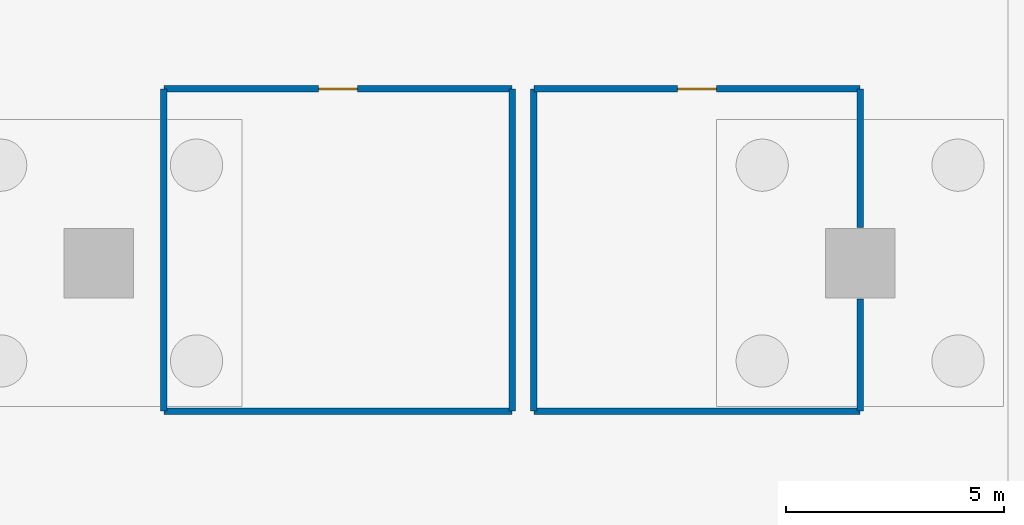
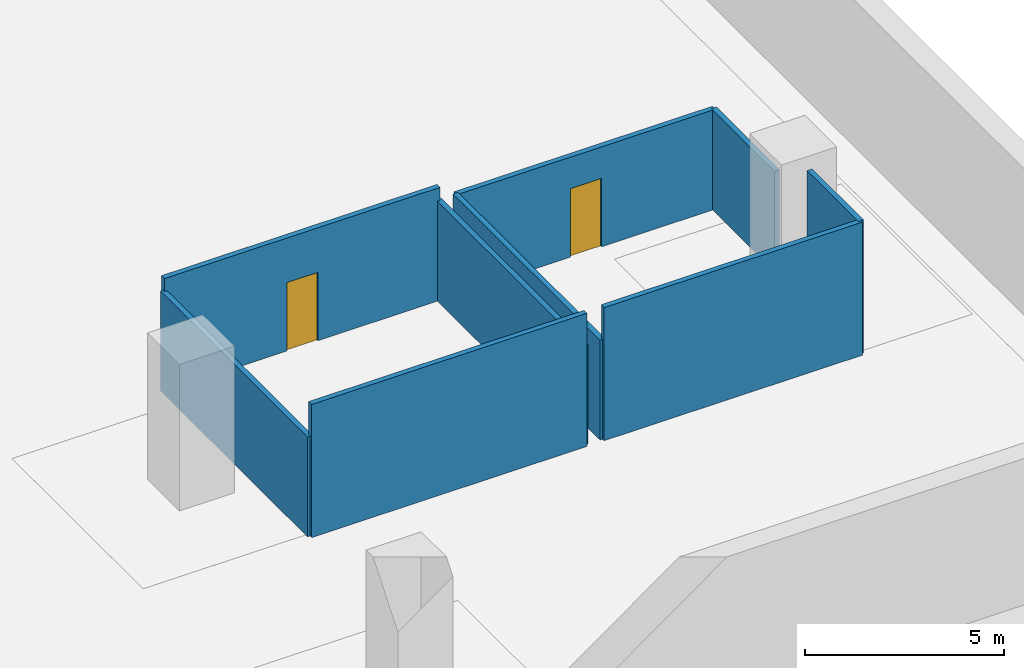
# One storey, part 6 of 13: 9 walls, 2 doors, 2 openings.
"""IFC4 building model written with IfcOpenShell, lengths in metres."""

from ifc_helpers import new_model, si_unit, direction, frame, frame_2d, origin, place, context, subcontext, project, spatial, rectangle, extrude, material, layer, layer_set, type_object, element, fill, save


model = new_model("IFC4")

# Units and contexts
model_context = context("Model", 3, precision=1e-05, world=origin(), true_north=direction((0.0, 1.0)))
body_context = subcontext(model_context, "Body", "Model", "MODEL_VIEW")
ifc_project = project(units=[si_unit("LENGTHUNIT", "METRE"), si_unit("AREAUNIT", "SQUARE_METRE"), si_unit("VOLUMEUNIT", "CUBIC_METRE"), si_unit("PLANEANGLEUNIT", "RADIAN"), si_unit("MASSUNIT", "GRAM", prefix="KILO")], contexts=[model_context])

# Site, building, storey
site_placement = place(None, origin())
site = spatial("IfcSite", under=ifc_project, at=site_placement, CompositionType="ELEMENT")
building_placement = place(site_placement, origin())
building = spatial("IfcBuilding", under=site, at=building_placement, Name="Tel Ilan Convention Tower", CompositionType="ELEMENT")
storey_placement = place(building_placement, frame((0.0, 0.0, -9.0)))
storey = spatial("IfcBuildingStorey", under=building, at=storey_placement, Name="B2", CompositionType="ELEMENT", Elevation=-9.0)

# Wall, opening, door
ifc_material_1 = material(Name="Plasterboard on Steel Studs", Category="steel")
ifc_layer = layer(ifc_material_1, 0.14990234375)
ifc_layer_set = layer_set([ifc_layer], Name="Fire-rated Partition 150 EI 60")
wall_type = type_object("IfcWallType", Name="Fire-rated Partition 150 EI 60", PredefinedType="PARTITIONING", material=ifc_layer_set)
wall_1_placement = place(storey_placement, frame((38.0, -63.9990234375, 0.0), z_axis=(0.0, 0.0, 1.0), x_axis=(-1.0, 0.0, 0.0)))
wall_1 = element("IfcWall", 1, at=wall_1_placement, inside=storey, type_object=wall_type, Name="Partition 014", PredefinedType="PARTITIONING", context=body_context, shape_type="SweptSolid", body=[
    extrude(rectangle(XDim=8.0, YDim=0.14990234375, at=frame_2d((4.0, 0.0))), origin(), (0.0, 0.0, 1.0), 3.469970703125),
])
opening_1_placement = place(wall_1_placement, frame((3.550048828125, 0.0, 0.0)))
opening_1 = element("IfcOpeningElement", 2, at=opening_1_placement, cuts=wall_1, Name="Opening B2-004", PredefinedType="OPENING", context=body_context, shape_type="SweptSolid", body=[
    extrude(rectangle(XDim=0.89990234375, YDim=2.10009765625, at=frame_2d((0.449951171875, 1.050048828125))), frame((0.0, 0.0849609375, 0.0), z_axis=(0.0, -1.0, 0.0), x_axis=(1.0, 0.0, 0.0)), (0.0, 0.0, 1.0), 0.169921875),
])
ifc_material_2 = material(Name="Timber Door Leaf in Steel Frame", Category="steel")
door_type_1 = type_object("IfcDoorType", Name="Riser and Service Fire Door 900x2100", OperationType="NOTDEFINED", PredefinedType="DOOR", material=ifc_material_2)
door_1_placement = place(opening_1_placement, origin())
door_1 = element("IfcDoor", 3, at=door_1_placement, inside=storey, type_object=door_type_1, Name="Door B2-004", OperationType="SINGLE_SWING_RIGHT", OverallHeight=2.10009765625, OverallWidth=0.89990234375, PredefinedType="DOOR", context=body_context, shape_type="SweptSolid", body=[
    extrude(rectangle(XDim=0.89990234375, YDim=2.10009765625, at=frame_2d((0.449951171875, 1.050048828125))), frame((0.0, 0.02490234375, 0.0), z_axis=(0.0, -1.0, 0.0), x_axis=(1.0, 0.0, 0.0)), (0.0, 0.0, 1.0), 0.050048828125),
])
fill(opening_1, door_1)

# Walls
wall_2_placement = place(storey_placement, frame((29.9990234375, -64.0, 0.0), z_axis=(0.0, 0.0, 1.0), x_axis=(0.0, -1.0, 0.0)))
element("IfcWall", 4, at=wall_2_placement, inside=storey, type_object=wall_type, Name="Partition 015", PredefinedType="PARTITIONING", context=body_context, shape_type="SweptSolid", body=[
    extrude(rectangle(XDim=7.39990234375, YDim=0.14990234375, at=frame_2d((3.699951171875, 0.0))), origin(), (0.0, 0.0, 1.0), 3.070068359375),
])
wall_3_placement = place(storey_placement, frame((30.0, -71.40087890625, 0.0), z_axis=(0.0, 0.0, 1.0), x_axis=(1.0, 0.0, 0.0)))
element("IfcWall", 5, at=wall_3_placement, inside=storey, type_object=wall_type, Name="Partition 016", PredefinedType="PARTITIONING", context=body_context, shape_type="SweptSolid", body=[
    extrude(rectangle(XDim=8.0, YDim=0.14990234375, at=frame_2d((4.0, 0.0))), origin(), (0.0, 0.0, 1.0), 4.090087890625),
])
wall_4_placement = place(storey_placement, frame((38.0009765625, -71.39990234375, 0.0), z_axis=(0.0, 0.0, 1.0), x_axis=(0.0, 1.0, 0.0)))
element("IfcWall", 6, at=wall_4_placement, inside=storey, type_object=wall_type, Name="Partition 017", PredefinedType="PARTITIONING", context=body_context, shape_type="SweptSolid", body=[
    extrude(rectangle(XDim=7.39990234375, YDim=0.14990234375, at=frame_2d((3.699951171875, 0.0))), origin(), (0.0, 0.0, 1.0), 3.070068359375),
])

# Wall, opening, door
wall_5_placement = place(storey_placement, frame((46.0, -63.9990234375, 0.0), z_axis=(0.0, 0.0, 1.0), x_axis=(-1.0, 0.0, 0.0)))
wall_5 = element("IfcWall", 7, at=wall_5_placement, inside=storey, type_object=wall_type, Name="Partition 018", PredefinedType="PARTITIONING", context=body_context, shape_type="SweptSolid", body=[
    extrude(rectangle(XDim=7.5, YDim=0.14990234375, at=frame_2d((3.75, 0.0))), origin(), (0.0, 0.0, 1.0), 3.070068359375),
])
opening_2_placement = place(wall_5_placement, frame((3.300048828125, 0.0, 0.0)))
opening_2 = element("IfcOpeningElement", 8, at=opening_2_placement, cuts=wall_5, Name="Opening B2-005", PredefinedType="OPENING", context=body_context, shape_type="SweptSolid", body=[
    extrude(rectangle(XDim=0.89990234375, YDim=2.10009765625, at=frame_2d((0.449951171875, 1.050048828125))), frame((0.0, 0.0849609375, 0.0), z_axis=(0.0, -1.0, 0.0), x_axis=(1.0, 0.0, 0.0)), (0.0, 0.0, 1.0), 0.169921875),
])
ifc_material_3 = material(Name="Timber Door Leaf in Steel Frame", Category="steel")
door_type_2 = type_object("IfcDoorType", Name="Room Fire Door 900x2100", OperationType="NOTDEFINED", PredefinedType="DOOR", material=ifc_material_3)
door_2_placement = place(opening_2_placement, origin())
door_2 = element("IfcDoor", 9, at=door_2_placement, inside=storey, type_object=door_type_2, Name="Door B2-005", OperationType="SINGLE_SWING_LEFT", OverallHeight=2.10009765625, OverallWidth=0.89990234375, PredefinedType="DOOR", context=body_context, shape_type="SweptSolid", body=[
    extrude(rectangle(XDim=0.89990234375, YDim=2.10009765625, at=frame_2d((0.449951171875, 1.050048828125))), frame((0.0, 0.02490234375, 0.0), z_axis=(0.0, -1.0, 0.0), x_axis=(1.0, 0.0, 0.0)), (0.0, 0.0, 1.0), 0.050048828125),
])
fill(opening_2, door_2)

# Walls
wall_6_placement = place(storey_placement, frame((38.4990234375, -64.0, 0.0), z_axis=(0.0, 0.0, 1.0), x_axis=(0.0, -1.0, 0.0)))
element("IfcWall", 10, at=wall_6_placement, inside=storey, type_object=wall_type, Name="Partition 019", PredefinedType="PARTITIONING", context=body_context, shape_type="SweptSolid", body=[
    extrude(rectangle(XDim=7.39990234375, YDim=0.14990234375, at=frame_2d((3.699951171875, 0.0))), origin(), (0.0, 0.0, 1.0), 3.070068359375),
])
wall_7_placement = place(storey_placement, frame((38.5, -71.40087890625, 0.0), z_axis=(0.0, 0.0, 1.0), x_axis=(1.0, 0.0, 0.0)))
element("IfcWall", 11, at=wall_7_placement, inside=storey, type_object=wall_type, Name="Partition 020", PredefinedType="PARTITIONING", context=body_context, shape_type="SweptSolid", body=[
    extrude(rectangle(XDim=7.5, YDim=0.14990234375, at=frame_2d((3.75, 0.0))), origin(), (0.0, 0.0, 1.0), 4.090087890625),
])
wall_8_placement = place(storey_placement, frame((46.0009765625, -71.39990234375, 0.0), z_axis=(0.0, 0.0, 1.0), x_axis=(0.0, 1.0, 0.0)))
element("IfcWall", 12, at=wall_8_placement, inside=storey, type_object=wall_type, Name="Partition 021", PredefinedType="PARTITIONING", context=body_context, shape_type="SweptSolid", body=[
    extrude(rectangle(XDim=2.579833984375, YDim=0.14990234375, at=frame_2d((1.2900390625, 0.0))), origin(), (0.0, 0.0, 1.0), 4.090087890625),
])
wall_9_placement = place(storey_placement, frame((46.0009765625, -67.179931640625, 0.0), z_axis=(0.0, 0.0, 1.0), x_axis=(0.0, 1.0, 0.0)))
element("IfcWall", 13, at=wall_9_placement, inside=storey, type_object=wall_type, Name="Partition 022", PredefinedType="PARTITIONING", context=body_context, shape_type="SweptSolid", body=[
    extrude(rectangle(XDim=3.179931640625, YDim=0.14990234375, at=frame_2d((1.58984375, 0.0))), origin(), (0.0, 0.0, 1.0), 3.070068359375),
])

save(model, "model.ifc")
